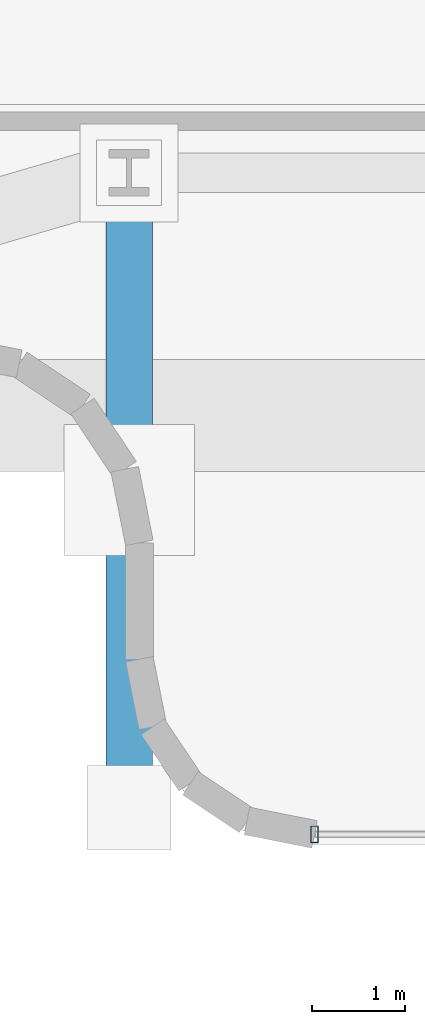
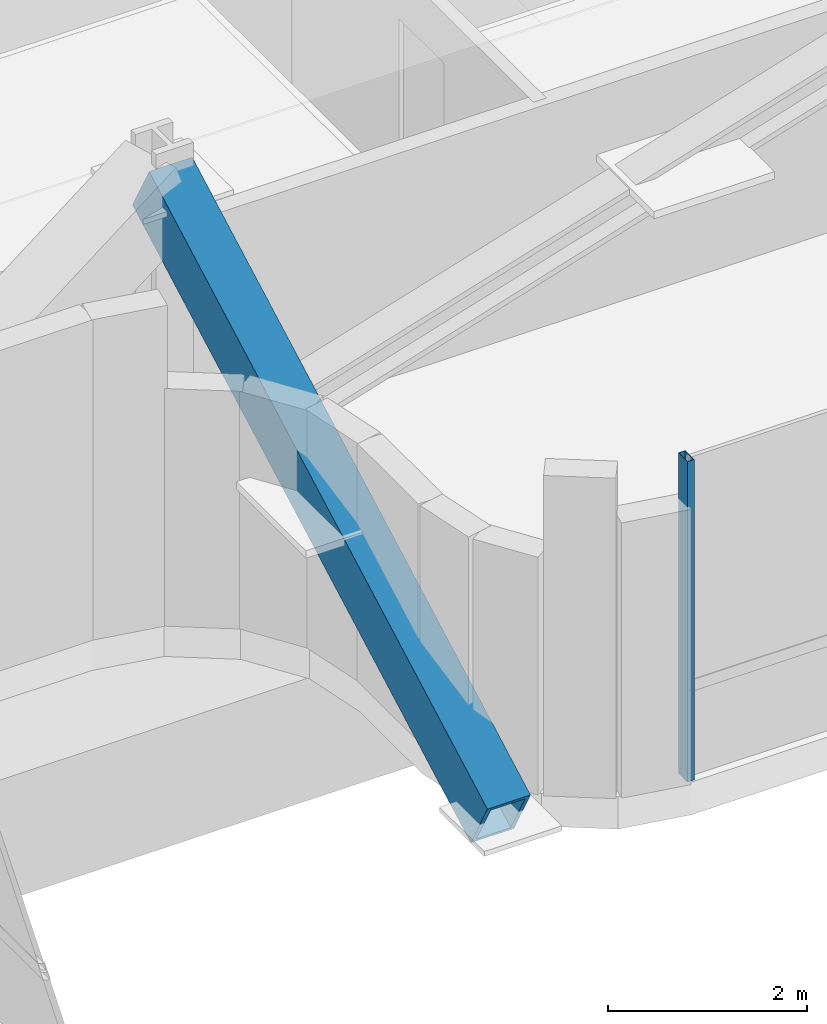
# One storey, part 6 of 37: 2 members, 1 element without a shape of its own.
"""IFC4 building model written with IfcOpenShell, lengths in metres."""

from ifc_helpers import new_model, si_unit, direction, frame, origin, origin_2d, place, context, subcontext, project, spatial, hollow_rectangle, extrude, source, transform, mapped, material, material_profile, profile_set, type_object, element, aggregate, save


model = new_model("IFC4")

# Units and contexts
model_context = context("Model", 3, precision=1e-05, world=origin(), true_north=direction((0.0, 1.0)))
body_context = subcontext(model_context, "Body", "Model", "MODEL_VIEW")
ifc_project = project(units=[si_unit("LENGTHUNIT", "METRE"), si_unit("AREAUNIT", "SQUARE_METRE"), si_unit("VOLUMEUNIT", "CUBIC_METRE"), si_unit("PLANEANGLEUNIT", "RADIAN"), si_unit("MASSUNIT", "GRAM", prefix="KILO")], contexts=[model_context])

# Site, building, storey
site_placement = place(None, origin())
site = spatial("IfcSite", under=ifc_project, at=site_placement, CompositionType="ELEMENT")
building_placement = place(site_placement, origin())
building = spatial("IfcBuilding", under=site, at=building_placement, Name="Valdorenza Pilgrim Sanctuary Tower", CompositionType="ELEMENT")
storey_placement = place(building_placement, frame((0.0, 0.0, 172.300048828125)))
storey = spatial("IfcBuildingStorey", under=building, at=storey_placement, Name="L44", CompositionType="ELEMENT", Elevation=172.300048828125)

# Member
ifc_material_1 = material(Name="Steel ASTM A572 Grade 42", Category="steel")
ifc_material_profile_1 = material_profile(ifc_material_1, hollow_rectangle(XDim=0.5, YDim=0.699951171875, WallThickness=0.050048828125, at=origin_2d()), Name="BOX 700x500x50")
ifc_profile_set_1 = profile_set([ifc_material_profile_1], Name="Steel ASTM A572 Grade 42")
member_type_1 = type_object("IfcMemberType", Name="STR-MB-PROW-CHORD", PredefinedType="CHORD", material=ifc_profile_set_1)
shared_shape_1 = source(origin(), body_context, "Body", "SweptSolid", [
    extrude(hollow_rectangle(XDim=0.5, YDim=0.699951171875, WallThickness=0.050048828125, at=origin_2d()), origin(), (0.0, 0.0, 1.0), 7.741455078125),
])
member_1_placement = place(storey_placement, frame((-3.5, -6.800048828125, 0.0), z_axis=(0.0, 0.87839285687, 0.477939315186), x_axis=(-1.0, 0.0, 0.0)))
element("IfcMember", 1, at=member_1_placement, inside=storey, type_object=member_type_1, Name="South Sanctuary Prow Truss Tie W", PredefinedType="CHORD", context=body_context, shape_type="MappedRepresentation", body=[
    mapped(shared_shape_1, transform((0.0, 0.0, 0.0), x_axis=(1.0, 0.0, 0.0), y_axis=(0.0, 1.0, 0.0), z_axis=(0.0, 0.0, 1.0), scale=1.0)),
])

# Curtain wall, member
ifc_material_2 = material(Name="Curtain-wall IGU glazing", Category="glass")
curtain_wall_type = type_object("IfcCurtainWallType", Name="CW-SYS-05", PredefinedType="NOTDEFINED", material=ifc_material_2)
curtain_wall_placement = place(storey_placement, origin())
curtain_wall = element("IfcCurtainWall", 2, at=curtain_wall_placement, inside=storey, type_object=curtain_wall_type, Name="L44 Curtain Wall CW-L44-1-62", PredefinedType="NOTDEFINED")
ifc_material_3 = material(Name="Anodised aluminium AW-6060", Category="aluminium")
ifc_material_profile_2 = material_profile(ifc_material_3, hollow_rectangle(XDim=0.080078125, YDim=0.179931640625, WallThickness=0.00439453125, at=origin_2d()), Name="ALU-M 180x80x4.5")
ifc_profile_set_2 = profile_set([ifc_material_profile_2], Name="Anodised aluminium AW-6060")
member_type_2 = type_object("IfcMemberType", Name="CW-MUL-05", PredefinedType="MULLION", material=ifc_profile_set_2)
shared_shape_2 = source(origin(), body_context, "Body", "SweptSolid", [
    extrude(hollow_rectangle(XDim=0.080078125, YDim=0.179931640625, WallThickness=0.00439453125, at=origin_2d()), origin(), (0.0, 0.0, 1.0), 3.929931640625),
])
member_2_placement = place(storey_placement, frame((-1.51318359375, -7.090087890625, 0.0), z_axis=(0.0, 0.0, 1.0), x_axis=(-1.0, 0.0, 0.0)))
member_2 = element("IfcMember", 3, at=member_2_placement, type_object=member_type_2, Name="CW-L44-1-62 Mullion 3", PredefinedType="MULLION", context=body_context, shape_type="MappedRepresentation", body=[
    mapped(shared_shape_2, transform((0.0, 0.0, 0.0), x_axis=(1.0, 0.0, 0.0), y_axis=(0.0, 1.0, 0.0), z_axis=(0.0, 0.0, 1.0), scale=1.0)),
])
aggregate(curtain_wall, [member_2])

save(model, "model.ifc")
